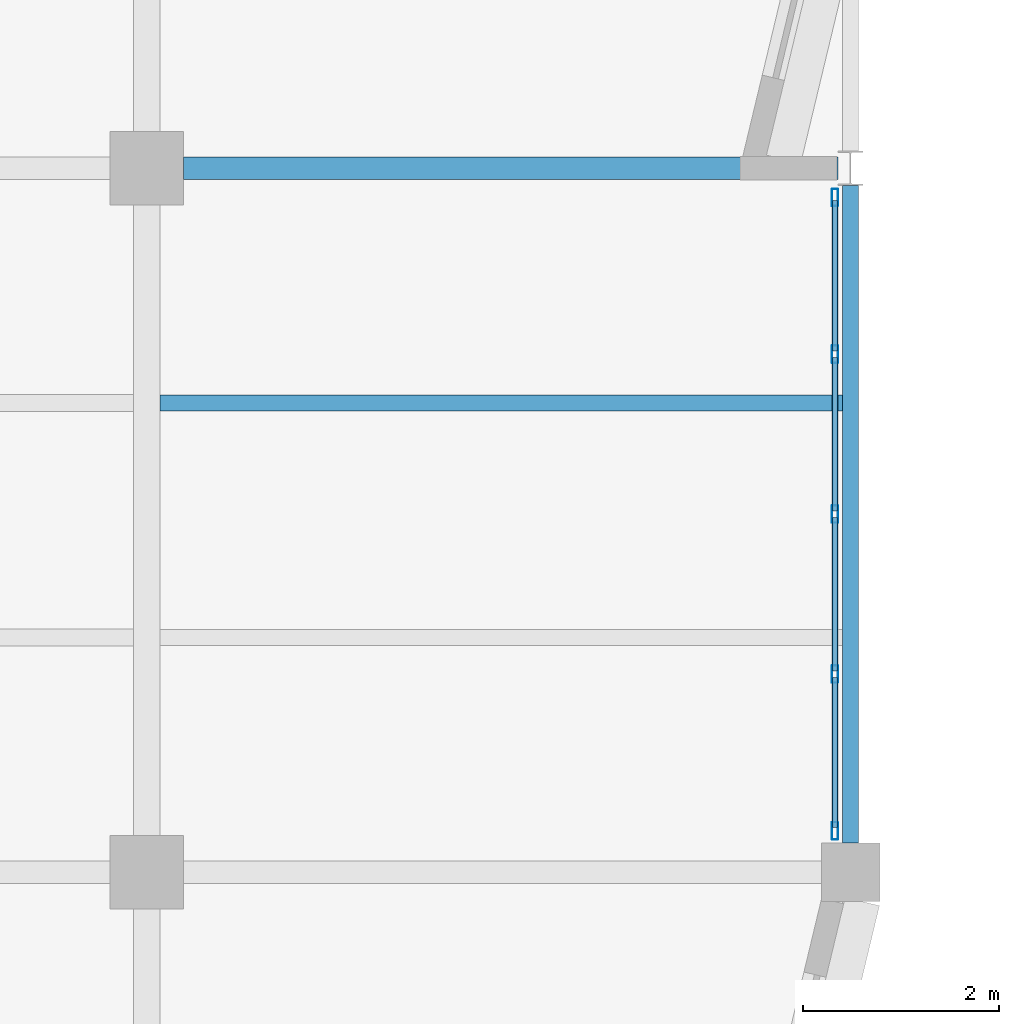
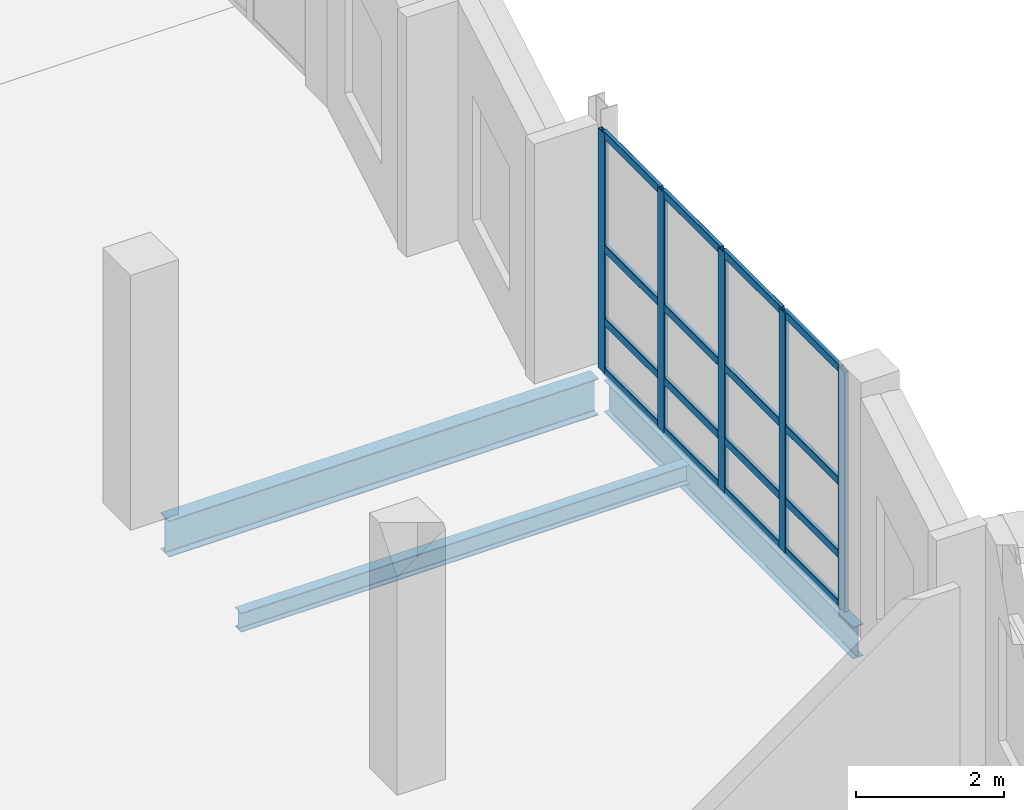
# One storey, part 38 of 94: 21 members, 3 beams, 1 element without a shape of its own.
"""IFC4 building model written with IfcOpenShell, lengths in metres."""

from ifc_helpers import new_model, si_unit, direction, frame, origin, origin_2d, place, context, subcontext, project, spatial, hollow_rectangle, i_section, extrude, material, material_profile, profile_set, type_object, element, aggregate, save


model = new_model("IFC4")

# Units and contexts
model_context = context("Model", 3, precision=1e-05, world=origin(), true_north=direction((0.0, 1.0)))
body_context = subcontext(model_context, "Body", "Model", "MODEL_VIEW")
ifc_project = project(units=[si_unit("LENGTHUNIT", "METRE"), si_unit("AREAUNIT", "SQUARE_METRE"), si_unit("VOLUMEUNIT", "CUBIC_METRE"), si_unit("PLANEANGLEUNIT", "RADIAN"), si_unit("MASSUNIT", "GRAM", prefix="KILO")], contexts=[model_context])

# Site, building, storey
site_placement = place(None, origin())
site = spatial("IfcSite", under=ifc_project, at=site_placement, CompositionType="ELEMENT")
building_placement = place(site_placement, origin())
building = spatial("IfcBuilding", under=site, at=building_placement, Name="Kalmorath City Hall", CompositionType="ELEMENT")
storey_placement = place(building_placement, frame((0.0, 0.0, 14.699951171875)))
storey = spatial("IfcBuildingStorey", under=building, at=storey_placement, Name="L03", CompositionType="ELEMENT", Elevation=14.699951171875)

# Curtain wall, members
ifc_material_1 = material(Name="Anodised aluminium and laminated glass", Category="aluminium")
curtain_wall_type = type_object("IfcCurtainWallType", Name="Unitised hurricane curtain wall 6544x3950 M1600", PredefinedType="NOTDEFINED", material=ifc_material_1)
curtain_wall_placement = place(storey_placement, origin())
curtain_wall = element("IfcCurtainWall", 1, at=curtain_wall_placement, inside=storey, type_object=curtain_wall_type, Name="L03 curtain wall CW-65X40M16 #152", PredefinedType="NOTDEFINED")
ifc_material_2 = material(Name="Anodised aluminium framing", Category="aluminium")
ifc_material_profile_1 = material_profile(ifc_material_2, hollow_rectangle(XDim=0.06494140625, YDim=0.179931640625, WallThickness=0.00390625, InnerFilletRadius=0.00390625, OuterFilletRadius=0.008056640625, at=origin_2d()), Name="ALU-MUL-180X65X4")
ifc_profile_set_1 = profile_set([ifc_material_profile_1], Name="Anodised aluminium framing")
member_type_1 = type_object("IfcMemberType", Name="Curtain-wall courtyard mullion 180x65", PredefinedType="MULLION", material=ifc_profile_set_1)
member_1_placement = place(storey_placement, frame((28.639892578125, 78.90087890625, 0.0), z_axis=(0.0, 0.0, 1.0), x_axis=(1.0, 0.0, 0.0)))
member_1 = element("IfcMember", 2, at=member_1_placement, type_object=member_type_1, Name="CW-65X40M16 mullion 1", PredefinedType="MULLION", context=body_context, shape_type="SweptSolid", body=[
    extrude(hollow_rectangle(XDim=0.06494140625, YDim=0.179931640625, WallThickness=0.00390625, InnerFilletRadius=0.00390625, OuterFilletRadius=0.008056640625, at=origin_2d()), origin(), (0.0, 0.0, 1.0), 3.949951171875),
])
member_2_placement = place(storey_placement, frame((28.639892578125, 77.297607421875, 0.0), z_axis=(0.0, 0.0, 1.0), x_axis=(1.0, 0.0, 0.0)))
member_2 = element("IfcMember", 3, at=member_2_placement, type_object=member_type_1, Name="CW-65X40M16 mullion 2", PredefinedType="MULLION", context=body_context, shape_type="SweptSolid", body=[
    extrude(hollow_rectangle(XDim=0.06494140625, YDim=0.179931640625, WallThickness=0.00390625, InnerFilletRadius=0.00390625, OuterFilletRadius=0.008056640625, at=origin_2d()), origin(), (0.0, 0.0, 1.0), 3.949951171875),
])
member_3_placement = place(storey_placement, frame((28.639892578125, 75.661865234375, 0.0), z_axis=(0.0, 0.0, 1.0), x_axis=(1.0, 0.0, 0.0)))
member_3 = element("IfcMember", 4, at=member_3_placement, type_object=member_type_1, Name="CW-65X40M16 mullion 3", PredefinedType="MULLION", context=body_context, shape_type="SweptSolid", body=[
    extrude(hollow_rectangle(XDim=0.06494140625, YDim=0.179931640625, WallThickness=0.00390625, InnerFilletRadius=0.00390625, OuterFilletRadius=0.008056640625, at=origin_2d()), origin(), (0.0, 0.0, 1.0), 3.949951171875),
])
member_4_placement = place(storey_placement, frame((28.639892578125, 74.02587890625, 0.0), z_axis=(0.0, 0.0, 1.0), x_axis=(1.0, 0.0, 0.0)))
member_4 = element("IfcMember", 5, at=member_4_placement, type_object=member_type_1, Name="CW-65X40M16 mullion 4", PredefinedType="MULLION", context=body_context, shape_type="SweptSolid", body=[
    extrude(hollow_rectangle(XDim=0.06494140625, YDim=0.179931640625, WallThickness=0.00390625, InnerFilletRadius=0.00390625, OuterFilletRadius=0.008056640625, at=origin_2d()), origin(), (0.0, 0.0, 1.0), 3.949951171875),
])
member_5_placement = place(storey_placement, frame((28.639892578125, 72.422607421875, 0.0), z_axis=(0.0, 0.0, 1.0), x_axis=(1.0, 0.0, 0.0)))
member_5 = element("IfcMember", 6, at=member_5_placement, type_object=member_type_1, Name="CW-65X40M16 mullion 5", PredefinedType="MULLION", context=body_context, shape_type="SweptSolid", body=[
    extrude(hollow_rectangle(XDim=0.06494140625, YDim=0.179931640625, WallThickness=0.00390625, InnerFilletRadius=0.00390625, OuterFilletRadius=0.008056640625, at=origin_2d()), origin(), (0.0, 0.0, 1.0), 3.949951171875),
])
ifc_material_3 = material(Name="Anodised aluminium framing", Category="aluminium")
ifc_material_profile_2 = material_profile(ifc_material_3, hollow_rectangle(XDim=0.06005859375, YDim=0.1298828125, WallThickness=0.00341796875, InnerFilletRadius=0.00341796875, OuterFilletRadius=0.007080078125, at=origin_2d()), Name="ALU-TRN-130X60X3.5")
ifc_profile_set_2 = profile_set([ifc_material_profile_2], Name="Anodised aluminium framing")
member_type_2 = type_object("IfcMemberType", Name="Curtain-wall courtyard transom 130x60", PredefinedType="USERDEFINED", material=ifc_profile_set_2)
member_6_placement = place(storey_placement, frame((28.639892578125, 78.868408203125, 0.030029296875), z_axis=(0.0, -1.0, 0.0), x_axis=(1.0, 0.0, 0.0)))
member_6 = element("IfcMember", 7, at=member_6_placement, type_object=member_type_2, Name="CW-65X40M16 transom 1.1", ObjectType="TRANSOM", PredefinedType="USERDEFINED", context=body_context, shape_type="SweptSolid", body=[
    extrude(hollow_rectangle(XDim=0.06005859375, YDim=0.1298828125, WallThickness=0.00341796875, InnerFilletRadius=0.00341796875, OuterFilletRadius=0.007080078125, at=origin_2d()), origin(), (0.0, 0.0, 1.0), 1.538330078125),
])
member_7_placement = place(storey_placement, frame((28.639892578125, 78.868408203125, 0.85009765625), z_axis=(0.0, -1.0, 0.0), x_axis=(1.0, 0.0, 0.0)))
member_7 = element("IfcMember", 8, at=member_7_placement, type_object=member_type_2, Name="CW-65X40M16 transom 1.2", ObjectType="TRANSOM", PredefinedType="USERDEFINED", context=body_context, shape_type="SweptSolid", body=[
    extrude(hollow_rectangle(XDim=0.06005859375, YDim=0.1298828125, WallThickness=0.00341796875, InnerFilletRadius=0.00341796875, OuterFilletRadius=0.007080078125, at=origin_2d()), origin(), (0.0, 0.0, 1.0), 1.538330078125),
])
member_8_placement = place(storey_placement, frame((28.639892578125, 78.868408203125, 2.053955078125), z_axis=(0.0, -1.0, 0.0), x_axis=(1.0, 0.0, 0.0)))
member_8 = element("IfcMember", 9, at=member_8_placement, type_object=member_type_2, Name="CW-65X40M16 transom 1.3", ObjectType="TRANSOM", PredefinedType="USERDEFINED", context=body_context, shape_type="SweptSolid", body=[
    extrude(hollow_rectangle(XDim=0.06005859375, YDim=0.1298828125, WallThickness=0.00341796875, InnerFilletRadius=0.00341796875, OuterFilletRadius=0.007080078125, at=origin_2d()), origin(), (0.0, 0.0, 1.0), 1.538330078125),
])
member_9_placement = place(storey_placement, frame((28.639892578125, 78.868408203125, 3.920166015625), z_axis=(0.0, -1.0, 0.0), x_axis=(1.0, 0.0, 0.0)))
member_9 = element("IfcMember", 10, at=member_9_placement, type_object=member_type_2, Name="CW-65X40M16 transom 1.4", ObjectType="TRANSOM", PredefinedType="USERDEFINED", context=body_context, shape_type="SweptSolid", body=[
    extrude(hollow_rectangle(XDim=0.06005859375, YDim=0.1298828125, WallThickness=0.00341796875, InnerFilletRadius=0.00341796875, OuterFilletRadius=0.007080078125, at=origin_2d()), origin(), (0.0, 0.0, 1.0), 1.538330078125),
])
member_10_placement = place(storey_placement, frame((28.639892578125, 77.26513671875, 0.030029296875), z_axis=(0.0, -1.0, 0.0), x_axis=(1.0, 0.0, 0.0)))
member_10 = element("IfcMember", 11, at=member_10_placement, type_object=member_type_2, Name="CW-65X40M16 transom 2.1", ObjectType="TRANSOM", PredefinedType="USERDEFINED", context=body_context, shape_type="SweptSolid", body=[
    extrude(hollow_rectangle(XDim=0.06005859375, YDim=0.1298828125, WallThickness=0.00341796875, InnerFilletRadius=0.00341796875, OuterFilletRadius=0.007080078125, at=origin_2d()), origin(), (0.0, 0.0, 1.0), 1.57080078125),
])
member_11_placement = place(storey_placement, frame((28.639892578125, 77.26513671875, 0.85009765625), z_axis=(0.0, -1.0, 0.0), x_axis=(1.0, 0.0, 0.0)))
member_11 = element("IfcMember", 12, at=member_11_placement, type_object=member_type_2, Name="CW-65X40M16 transom 2.2", ObjectType="TRANSOM", PredefinedType="USERDEFINED", context=body_context, shape_type="SweptSolid", body=[
    extrude(hollow_rectangle(XDim=0.06005859375, YDim=0.1298828125, WallThickness=0.00341796875, InnerFilletRadius=0.00341796875, OuterFilletRadius=0.007080078125, at=origin_2d()), origin(), (0.0, 0.0, 1.0), 1.57080078125),
])
member_12_placement = place(storey_placement, frame((28.639892578125, 77.26513671875, 2.053955078125), z_axis=(0.0, -1.0, 0.0), x_axis=(1.0, 0.0, 0.0)))
member_12 = element("IfcMember", 13, at=member_12_placement, type_object=member_type_2, Name="CW-65X40M16 transom 2.3", ObjectType="TRANSOM", PredefinedType="USERDEFINED", context=body_context, shape_type="SweptSolid", body=[
    extrude(hollow_rectangle(XDim=0.06005859375, YDim=0.1298828125, WallThickness=0.00341796875, InnerFilletRadius=0.00341796875, OuterFilletRadius=0.007080078125, at=origin_2d()), origin(), (0.0, 0.0, 1.0), 1.57080078125),
])
member_13_placement = place(storey_placement, frame((28.639892578125, 77.26513671875, 3.920166015625), z_axis=(0.0, -1.0, 0.0), x_axis=(1.0, 0.0, 0.0)))
member_13 = element("IfcMember", 14, at=member_13_placement, type_object=member_type_2, Name="CW-65X40M16 transom 2.4", ObjectType="TRANSOM", PredefinedType="USERDEFINED", context=body_context, shape_type="SweptSolid", body=[
    extrude(hollow_rectangle(XDim=0.06005859375, YDim=0.1298828125, WallThickness=0.00341796875, InnerFilletRadius=0.00341796875, OuterFilletRadius=0.007080078125, at=origin_2d()), origin(), (0.0, 0.0, 1.0), 1.57080078125),
])
member_14_placement = place(storey_placement, frame((28.639892578125, 75.629150390625, 0.030029296875), z_axis=(0.0, -1.0, 0.0), x_axis=(1.0, 0.0, 0.0)))
member_14 = element("IfcMember", 15, at=member_14_placement, type_object=member_type_2, Name="CW-65X40M16 transom 3.1", ObjectType="TRANSOM", PredefinedType="USERDEFINED", context=body_context, shape_type="SweptSolid", body=[
    extrude(hollow_rectangle(XDim=0.06005859375, YDim=0.1298828125, WallThickness=0.00341796875, InnerFilletRadius=0.00341796875, OuterFilletRadius=0.007080078125, at=origin_2d()), origin(), (0.0, 0.0, 1.0), 1.57080078125),
])
member_15_placement = place(storey_placement, frame((28.639892578125, 75.629150390625, 0.85009765625), z_axis=(0.0, -1.0, 0.0), x_axis=(1.0, 0.0, 0.0)))
member_15 = element("IfcMember", 16, at=member_15_placement, type_object=member_type_2, Name="CW-65X40M16 transom 3.2", ObjectType="TRANSOM", PredefinedType="USERDEFINED", context=body_context, shape_type="SweptSolid", body=[
    extrude(hollow_rectangle(XDim=0.06005859375, YDim=0.1298828125, WallThickness=0.00341796875, InnerFilletRadius=0.00341796875, OuterFilletRadius=0.007080078125, at=origin_2d()), origin(), (0.0, 0.0, 1.0), 1.57080078125),
])
member_16_placement = place(storey_placement, frame((28.639892578125, 75.629150390625, 2.053955078125), z_axis=(0.0, -1.0, 0.0), x_axis=(1.0, 0.0, 0.0)))
member_16 = element("IfcMember", 17, at=member_16_placement, type_object=member_type_2, Name="CW-65X40M16 transom 3.3", ObjectType="TRANSOM", PredefinedType="USERDEFINED", context=body_context, shape_type="SweptSolid", body=[
    extrude(hollow_rectangle(XDim=0.06005859375, YDim=0.1298828125, WallThickness=0.00341796875, InnerFilletRadius=0.00341796875, OuterFilletRadius=0.007080078125, at=origin_2d()), origin(), (0.0, 0.0, 1.0), 1.57080078125),
])
member_17_placement = place(storey_placement, frame((28.639892578125, 75.629150390625, 3.920166015625), z_axis=(0.0, -1.0, 0.0), x_axis=(1.0, 0.0, 0.0)))
member_17 = element("IfcMember", 18, at=member_17_placement, type_object=member_type_2, Name="CW-65X40M16 transom 3.4", ObjectType="TRANSOM", PredefinedType="USERDEFINED", context=body_context, shape_type="SweptSolid", body=[
    extrude(hollow_rectangle(XDim=0.06005859375, YDim=0.1298828125, WallThickness=0.00341796875, InnerFilletRadius=0.00341796875, OuterFilletRadius=0.007080078125, at=origin_2d()), origin(), (0.0, 0.0, 1.0), 1.57080078125),
])
member_18_placement = place(storey_placement, frame((28.639892578125, 73.993408203125, 0.030029296875), z_axis=(0.0, -1.0, 0.0), x_axis=(1.0, 0.0, 0.0)))
member_18 = element("IfcMember", 19, at=member_18_placement, type_object=member_type_2, Name="CW-65X40M16 transom 4.1", ObjectType="TRANSOM", PredefinedType="USERDEFINED", context=body_context, shape_type="SweptSolid", body=[
    extrude(hollow_rectangle(XDim=0.06005859375, YDim=0.1298828125, WallThickness=0.00341796875, InnerFilletRadius=0.00341796875, OuterFilletRadius=0.007080078125, at=origin_2d()), origin(), (0.0, 0.0, 1.0), 1.538330078125),
])
member_19_placement = place(storey_placement, frame((28.639892578125, 73.993408203125, 0.85009765625), z_axis=(0.0, -1.0, 0.0), x_axis=(1.0, 0.0, 0.0)))
member_19 = element("IfcMember", 20, at=member_19_placement, type_object=member_type_2, Name="CW-65X40M16 transom 4.2", ObjectType="TRANSOM", PredefinedType="USERDEFINED", context=body_context, shape_type="SweptSolid", body=[
    extrude(hollow_rectangle(XDim=0.06005859375, YDim=0.1298828125, WallThickness=0.00341796875, InnerFilletRadius=0.00341796875, OuterFilletRadius=0.007080078125, at=origin_2d()), origin(), (0.0, 0.0, 1.0), 1.538330078125),
])
member_20_placement = place(storey_placement, frame((28.639892578125, 73.993408203125, 2.053955078125), z_axis=(0.0, -1.0, 0.0), x_axis=(1.0, 0.0, 0.0)))
member_20 = element("IfcMember", 21, at=member_20_placement, type_object=member_type_2, Name="CW-65X40M16 transom 4.3", ObjectType="TRANSOM", PredefinedType="USERDEFINED", context=body_context, shape_type="SweptSolid", body=[
    extrude(hollow_rectangle(XDim=0.06005859375, YDim=0.1298828125, WallThickness=0.00341796875, InnerFilletRadius=0.00341796875, OuterFilletRadius=0.007080078125, at=origin_2d()), origin(), (0.0, 0.0, 1.0), 1.538330078125),
])
member_21_placement = place(storey_placement, frame((28.639892578125, 73.993408203125, 3.920166015625), z_axis=(0.0, -1.0, 0.0), x_axis=(1.0, 0.0, 0.0)))
member_21 = element("IfcMember", 22, at=member_21_placement, type_object=member_type_2, Name="CW-65X40M16 transom 4.4", ObjectType="TRANSOM", PredefinedType="USERDEFINED", context=body_context, shape_type="SweptSolid", body=[
    extrude(hollow_rectangle(XDim=0.06005859375, YDim=0.1298828125, WallThickness=0.00341796875, InnerFilletRadius=0.00341796875, OuterFilletRadius=0.007080078125, at=origin_2d()), origin(), (0.0, 0.0, 1.0), 1.538330078125),
])
aggregate(curtain_wall, [member_1, member_2, member_3, member_4, member_5, member_6, member_7, member_8, member_9, member_10, member_11, member_12, member_13, member_14, member_15, member_16, member_17, member_18, member_19, member_20, member_21])

# Beams
ifc_material_4 = material(Name="Steel ASTM A992 Grade 50", Category="steel")
ifc_material_profile_3 = material_profile(ifc_material_4, i_section(OverallWidth=0.22802734375, OverallDepth=0.60302734375, WebThickness=0.010498046875, FlangeThickness=0.014892578125, FilletRadius=0.01611328125, at=origin_2d()), Name="W24X68")
ifc_profile_set_3 = profile_set([ifc_material_profile_3], Name="Steel ASTM A992 Grade 50")
beam_type_1 = type_object("IfcBeamType", Name="Steel floor girder W24X68", PredefinedType="BEAM", material=ifc_profile_set_3)
beam_1_placement = place(storey_placement, frame((21.97509765625, 79.199951171875, -0.5654296875), z_axis=(1.0, 0.0, 0.0), x_axis=(0.0, 1.0, 0.0)))
element("IfcBeam", 23, at=beam_1_placement, inside=storey, type_object=beam_type_1, Name="L03 girder SG9 X4-5/12", PredefinedType="BEAM", context=body_context, shape_type="SweptSolid", body=[
    extrude(i_section(OverallWidth=0.22802734375, OverallDepth=0.60302734375, WebThickness=0.010498046875, FlangeThickness=0.014892578125, FilletRadius=0.01611328125, at=origin_2d()), origin(), (0.0, 0.0, 1.0), 6.697998046875),
])
ifc_material_5 = material(Name="Steel ASTM A992 Grade 50", Category="steel")
ifc_material_profile_4 = material_profile(ifc_material_5, i_section(OverallWidth=0.1669921875, OverallDepth=0.318115234375, WebThickness=0.007568359375, FlangeThickness=0.01318359375, FilletRadius=0.012939453125, at=origin_2d()), Name="W12X35")
ifc_profile_set_4 = profile_set([ifc_material_profile_4], Name="Steel ASTM A992 Grade 50")
beam_type_2 = type_object("IfcBeamType", Name="Steel header lintel W12X35", PredefinedType="LINTEL", material=ifc_profile_set_4)
beam_2_placement = place(storey_placement, frame((21.73388671875, 76.800048828125, -0.4228515625), z_axis=(1.0, 0.0, 0.0), x_axis=(0.0, 1.0, 0.0)))
element("IfcBeam", 24, at=beam_2_placement, inside=storey, type_object=beam_type_2, Name="L03 joist SJ13 4.11.2", PredefinedType="LINTEL", context=body_context, shape_type="SweptSolid", body=[
    extrude(i_section(OverallWidth=0.1669921875, OverallDepth=0.318115234375, WebThickness=0.007568359375, FlangeThickness=0.01318359375, FilletRadius=0.012939453125, at=origin_2d()), origin(), (0.0, 0.0, 1.0), 6.983642578125),
])
ifc_material_6 = material(Name="Steel ASTM A992 Grade 50", Category="steel")
ifc_material_profile_5 = material_profile(ifc_material_6, i_section(OverallWidth=0.1650390625, OverallDepth=0.52490234375, WebThickness=0.0087890625, FlangeThickness=0.011474609375, FilletRadius=0.014892578125, at=origin_2d()), Name="W21X44")
ifc_profile_set_5 = profile_set([ifc_material_profile_5], Name="Steel ASTM A992 Grade 50")
beam_type_3 = type_object("IfcBeamType", Name="Steel spandrel beam W21X44", PredefinedType="SPANDREL", material=ifc_profile_set_5)
beam_3_placement = place(storey_placement, frame((28.800048828125, 72.300048828125, -0.5263671875), z_axis=(0.0, 1.0, 0.0), x_axis=(-1.0, 0.0, 0.0)))
element("IfcBeam", 25, at=beam_3_placement, inside=storey, type_object=beam_type_3, Name="L03 girder SB4 Y5/11-12", PredefinedType="SPANDREL", context=body_context, shape_type="SweptSolid", body=[
    extrude(i_section(OverallWidth=0.1650390625, OverallDepth=0.52490234375, WebThickness=0.0087890625, FlangeThickness=0.011474609375, FilletRadius=0.014892578125, at=origin_2d()), origin(), (0.0, 0.0, 1.0), 6.723388671875),
])

save(model, "model.ifc")
